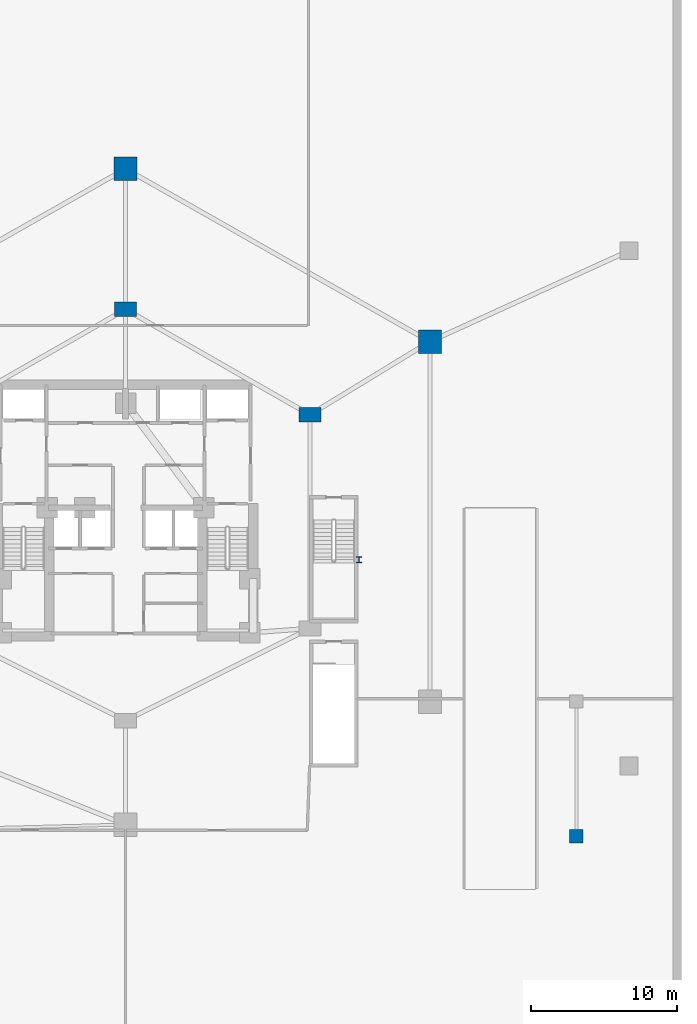
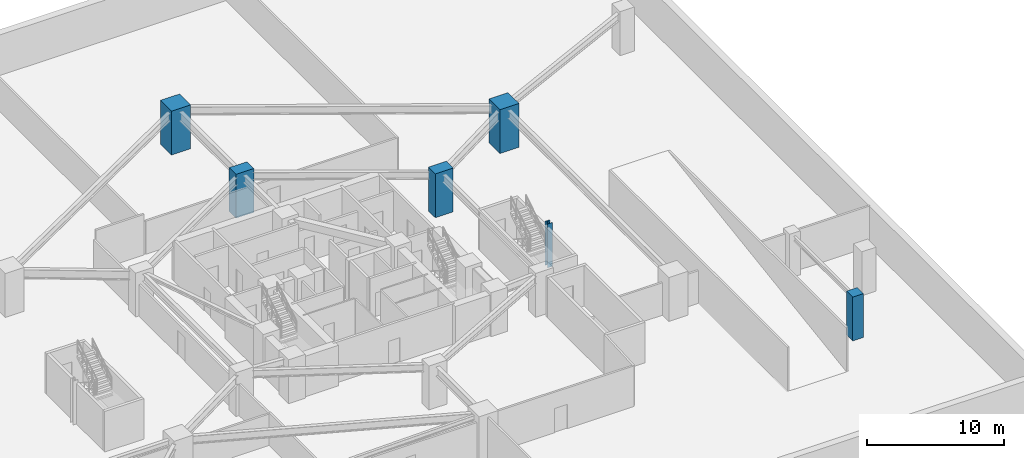
# One storey, part 3 of 10: 6 columns.
"""IFC4 building model written with IfcOpenShell, lengths in metres."""

from ifc_helpers import new_model, si_unit, direction, frame, origin, origin_2d, place, context, subcontext, project, spatial, rectangle, i_section, extrude, material, material_profile, profile_set, type_object, element, save


model = new_model("IFC4")

# Units and contexts
model_context = context("Model", 3, precision=1e-05, world=origin(), true_north=direction((0.0, 1.0)))
body_context = subcontext(model_context, "Body", "Model", "MODEL_VIEW")
ifc_project = project(units=[si_unit("LENGTHUNIT", "METRE"), si_unit("AREAUNIT", "SQUARE_METRE"), si_unit("VOLUMEUNIT", "CUBIC_METRE"), si_unit("PLANEANGLEUNIT", "RADIAN"), si_unit("MASSUNIT", "GRAM", prefix="KILO")], contexts=[model_context])

# Site, building, storey
site_placement = place(None, origin())
site = spatial("IfcSite", under=ifc_project, at=site_placement, CompositionType="ELEMENT")
building_placement = place(site_placement, origin())
building = spatial("IfcBuilding", under=site, at=building_placement, Name="Miruveldt Soraemaru", CompositionType="ELEMENT")
storey_placement = place(building_placement, frame((0.0, 0.0, -3.89990234375)))
storey = spatial("IfcBuildingStorey", under=building, at=storey_placement, Name="B1", CompositionType="ELEMENT", Elevation=-3.89990234375)

# Columns
ifc_material_1 = material(Name="Concrete C50/60 (50 MPa)", Category="concrete")
ifc_material_profile_1 = material_profile(ifc_material_1, rectangle(XDim=0.89990234375, YDim=0.89990234375, at=origin_2d()), Name="Concrete C50/60 (50 MPa)", Category="concrete")
ifc_profile_set_1 = profile_set([ifc_material_profile_1], Name="Concrete C50/60 (50 MPa)")
column_type_1 = type_object("IfcColumnType", Name="COL-CORE-900", PredefinedType="COLUMN", material=ifc_profile_set_1)
column_1_placement = place(storey_placement, frame((74.800048828125, 21.60009765625, 0.0), z_axis=(0.0, 0.0, 1.0), x_axis=(1.0, 0.0, 0.0)))
element("IfcColumn", 1, at=column_1_placement, inside=storey, type_object=column_type_1, Name="B1 Structural Column PF03", PredefinedType="COLUMN", context=body_context, shape_type="SweptSolid", body=[
    extrude(rectangle(XDim=0.89990234375, YDim=0.89990234375, at=origin_2d()), origin(), (0.0, 0.0, 1.0), 3.89990234375),
])
ifc_material_2 = material(Name="Concrete C80/95 (80 MPa)", Category="concrete")
ifc_material_profile_2 = material_profile(ifc_material_2, rectangle(XDim=1.60009765625, YDim=1.60009765625, at=origin_2d()), Name="Concrete C80/95 (80 MPa)", Category="concrete")
ifc_profile_set_2 = profile_set([ifc_material_profile_2], Name="Concrete C80/95 (80 MPa)")
column_type_2 = type_object("IfcColumnType", Name="COL-MEGA-1600", PredefinedType="COLUMN", material=ifc_profile_set_2)
for number, where, z_axis, x_axis, name in (
    (2, (44.0, 67.199951171875, 0.0), (0.0, 0.0, 1.0), (1.0, 0.0, 0.0), "B1 Structural Column PM01"),
    (3, (64.800048828125, 55.39990234375, 0.0), (0.0, 0.0, 1.0), (1.0, 0.0, 0.0), "B1 Structural Column PM02"),
):
    element("IfcColumn", number, at=place(storey_placement, frame(where, z_axis=z_axis, x_axis=x_axis)), inside=storey, type_object=column_type_2, Name=name, PredefinedType="COLUMN", context=body_context, shape_type="SweptSolid", body=[
        extrude(rectangle(XDim=1.60009765625, YDim=1.60009765625, at=origin_2d()), origin(), (0.0, 0.0, 1.0), 3.89990234375),
    ])
ifc_material_3 = material(Name="Steel S460 (460 MPa)", Category="steel")
ifc_material_profile_3 = material_profile(ifc_material_3, i_section(OverallWidth=0.39990234375, OverallDepth=0.39990234375, WebThickness=0.012939453125, FlangeThickness=0.02099609375, FilletRadius=0.02197265625, at=origin_2d()), Name="Steel S460 (460 MPa)", Category="steel")
ifc_profile_set_3 = profile_set([ifc_material_profile_3], Name="Steel S460 (460 MPa)")
column_type_3 = type_object("IfcColumnType", Name="COL-PIL-400", PredefinedType="PILASTER", material=ifc_profile_set_3)
column_2_placement = place(storey_placement, frame((59.949951171875, 40.5, 0.0), z_axis=(0.0, 0.0, 1.0), x_axis=(1.0, 0.0, 0.0)))
element("IfcColumn", 4, at=column_2_placement, inside=storey, type_object=column_type_3, Name="B1 Structural Column PIL2", PredefinedType="PILASTER", context=body_context, shape_type="SweptSolid", body=[
    extrude(i_section(OverallWidth=0.39990234375, OverallDepth=0.39990234375, WebThickness=0.012939453125, FlangeThickness=0.02099609375, FilletRadius=0.02197265625, at=origin_2d()), origin(), (0.0, 0.0, 1.0), 3.89990234375),
])
ifc_material_profile_4 = material_profile(ifc_material_2, rectangle(XDim=1.5, YDim=1.0, at=origin_2d()), Name="Concrete C80/95 (80 MPa)", Category="concrete")
ifc_profile_set_4 = profile_set([ifc_material_profile_4], Name="Concrete C80/95 (80 MPa)")
column_type_4 = type_object("IfcColumnType", Name="COL-TW-Z1A", PredefinedType="COLUMN", material=ifc_profile_set_4)
for number, where, z_axis, x_axis, name in (
    (5, (44.0, 57.60009765625, 0.0), (0.0, 0.0, 1.0), (1.0, 0.0, 0.0), "B1 Structural Column IR01"),
    (6, (56.60009765625, 50.39990234375, 0.0), (0.0, 0.0, 1.0), (1.0, 0.0, 0.0), "B1 Structural Column IR02"),
):
    element("IfcColumn", number, at=place(storey_placement, frame(where, z_axis=z_axis, x_axis=x_axis)), inside=storey, type_object=column_type_4, Name=name, PredefinedType="COLUMN", context=body_context, shape_type="SweptSolid", body=[
        extrude(rectangle(XDim=1.5, YDim=1.0, at=origin_2d()), origin(), (0.0, 0.0, 1.0), 3.89990234375),
    ])

save(model, "model.ifc")
